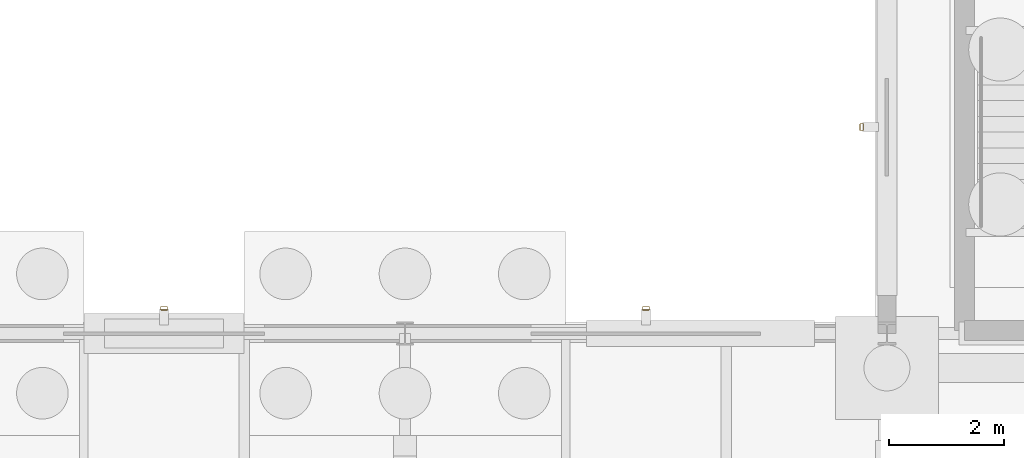
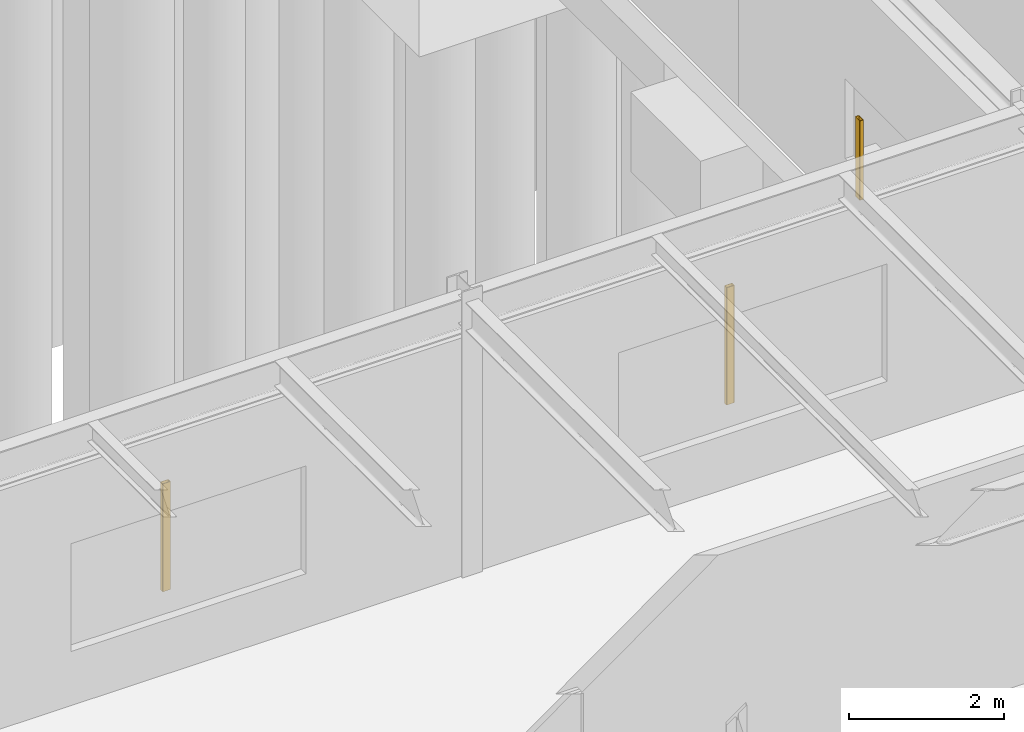
# One storey, part 88 of 93: 3 shading devices.
"""IFC4 building model written with IfcOpenShell, lengths in metres."""

from ifc_helpers import new_model, si_unit, derived_unit, direction, frame, origin, origin_2d, place, context, subcontext, project, spatial, hollow_rectangle, extrude, material, material_profile, profile_set, type_object, element, save


model = new_model("IFC4")

# Units and contexts
model_context = context("Model", 3, precision=1e-05, world=origin(), true_north=direction((0.0, 1.0)))
body_context = subcontext(model_context, "Body", "Model", "MODEL_VIEW")
ifc_project = project(units=[si_unit("LENGTHUNIT", "METRE"), si_unit("AREAUNIT", "SQUARE_METRE"), si_unit("VOLUMEUNIT", "CUBIC_METRE"), si_unit("PLANEANGLEUNIT", "RADIAN"), si_unit("MASSUNIT", "GRAM", prefix="KILO"), derived_unit("THERMALTRANSMITTANCEUNIT", [(si_unit("MASSUNIT", "GRAM", prefix="KILO"), 1), (si_unit("TIMEUNIT", "SECOND"), -3), (si_unit("THERMODYNAMICTEMPERATUREUNIT", "KELVIN"), -1)])], contexts=[model_context])

# Site, building, storey
site_placement = place(None, origin())
site = spatial("IfcSite", under=ifc_project, at=site_placement, CompositionType="ELEMENT")
building_placement = place(site_placement, origin())
building = spatial("IfcBuilding", under=site, at=building_placement, Name="Kharveza Railside Sports Centre", CompositionType="ELEMENT")
storey_placement = place(building_placement, origin())
storey = spatial("IfcBuildingStorey", under=building, at=storey_placement, Name="L00", CompositionType="ELEMENT", Elevation=0.0)

# Shading devices
ifc_material = material(Name="Anodised aluminium 6063-T6", Category="aluminium")
ifc_material_profile = material_profile(ifc_material, hollow_rectangle(XDim=0.06005859375, YDim=0.1201171875, WallThickness=0.0048828125, InnerFilletRadius=0.0048828125, OuterFilletRadius=0.010009765625, at=origin_2d()), Name="RHS 60x120x5.0")
ifc_profile_set = profile_set([ifc_material_profile], Name="Anodised aluminium 6063-T6")
shading_device_type = type_object("IfcShadingDeviceType", Name="SD-LV01", PredefinedType="JALOUSIE", material=ifc_profile_set)
shading_device_1_placement = place(storey_placement, frame((142.360107421875, 39.60009765625, 0.85009765625), z_axis=(0.0, 0.0, 1.0), x_axis=(-1.0, 0.0, 0.0)))
element("IfcShadingDevice", 1, at=shading_device_1_placement, inside=storey, type_object=shading_device_type, Name="SD-FIN-007", PredefinedType="JALOUSIE", context=body_context, shape_type="SweptSolid", body=[
    extrude(hollow_rectangle(XDim=0.06005859375, YDim=0.1201171875, WallThickness=0.0048828125, InnerFilletRadius=0.0048828125, OuterFilletRadius=0.010009765625, at=origin_2d()), origin(), (0.0, 0.0, 1.0), 1.25),
])
shading_device_2_placement = place(storey_placement, frame((138.60009765625, 36.43994140625, 0.85009765625), z_axis=(0.0, 0.0, 1.0), x_axis=(0.0, 1.0, 0.0)))
element("IfcShadingDevice", 2, at=shading_device_2_placement, inside=storey, type_object=shading_device_type, Name="SD-FIN-008", PredefinedType="JALOUSIE", context=body_context, shape_type="SweptSolid", body=[
    extrude(hollow_rectangle(XDim=0.06005859375, YDim=0.1201171875, WallThickness=0.0048828125, InnerFilletRadius=0.0048828125, OuterFilletRadius=0.010009765625, at=origin_2d()), origin(), (0.0, 0.0, 1.0), 1.849853515625),
])
shading_device_3_placement = place(storey_placement, frame((130.199951171875, 36.43994140625, 0.85009765625), z_axis=(0.0, 0.0, 1.0), x_axis=(0.0, 1.0, 0.0)))
element("IfcShadingDevice", 3, at=shading_device_3_placement, inside=storey, type_object=shading_device_type, Name="SD-FIN-009", PredefinedType="JALOUSIE", context=body_context, shape_type="SweptSolid", body=[
    extrude(hollow_rectangle(XDim=0.06005859375, YDim=0.1201171875, WallThickness=0.0048828125, InnerFilletRadius=0.0048828125, OuterFilletRadius=0.010009765625, at=origin_2d()), origin(), (0.0, 0.0, 1.0), 1.699951171875),
])

save(model, "model.ifc")
